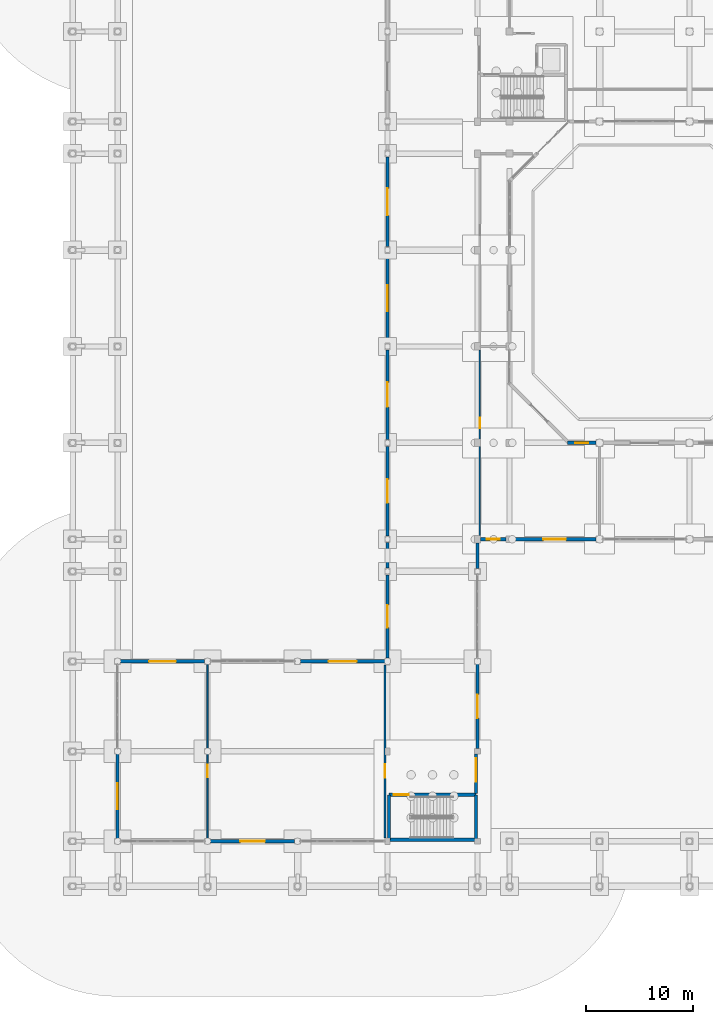
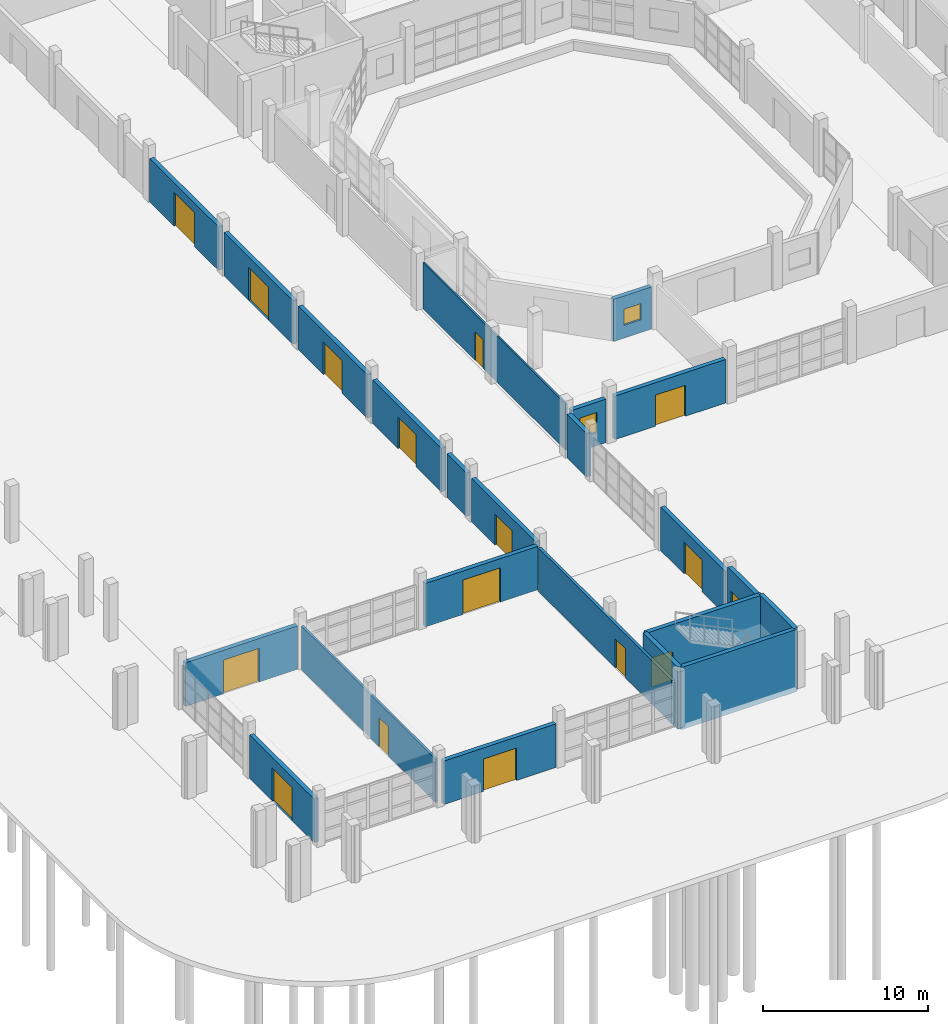
# One storey, part 56 of 88: 23 walls, 16 doors, 2 windows, 18 openings.
"""IFC4 building model written with IfcOpenShell, lengths in metres."""

from ifc_helpers import new_model, si_unit, direction, frame, frame_2d, origin, place, context, subcontext, project, spatial, rectangle, extrude, material, layer, layer_set, type_object, element, fill, save


model = new_model("IFC4")

# Units and contexts
model_context = context("Model", 3, precision=1e-05, world=origin(), true_north=direction((0.0, 1.0)))
body_context = subcontext(model_context, "Body", "Model", "MODEL_VIEW")
ifc_project = project(units=[si_unit("LENGTHUNIT", "METRE"), si_unit("AREAUNIT", "SQUARE_METRE"), si_unit("VOLUMEUNIT", "CUBIC_METRE"), si_unit("PLANEANGLEUNIT", "RADIAN"), si_unit("MASSUNIT", "GRAM", prefix="KILO")], contexts=[model_context])

# Site, building, storey
site_placement = place(None, origin())
site = spatial("IfcSite", under=ifc_project, at=site_placement, CompositionType="ELEMENT")
building_placement = place(site_placement, origin())
building = spatial("IfcBuilding", under=site, at=building_placement, Name="Vanh Quang Courtyard School", CompositionType="ELEMENT")
storey_placement = place(building_placement, origin())
storey = spatial("IfcBuildingStorey", under=building, at=storey_placement, Name="L00", CompositionType="ELEMENT", Elevation=0.0)

# Wall, opening, door
ifc_material_1 = material(Name="Concrete C30/37", Category="concrete")
ifc_layer_1 = layer(ifc_material_1, 0.199951171875)
ifc_layer_set_1 = layer_set([ifc_layer_1], Name="Concrete C30/37")
wall_type_1 = type_object("IfcWallType", Name="W-COMP-200", PredefinedType="PARTITIONING", material=ifc_layer_set_1)
wall_1_placement = place(storey_placement, frame((29.179931640625, 20.677001953125, 0.0), z_axis=(0.0, 0.0, 1.0), x_axis=(0.0, -1.0, 0.0)))
wall_1 = element("IfcWall", 1, at=wall_1_placement, inside=storey, type_object=wall_type_1, Name="Wall W-COMP1 (L00)", PredefinedType="PARTITIONING", context=body_context, shape_type="SweptSolid", body=[
    extrude(rectangle(XDim=16.154052734375, YDim=0.199951171875, at=frame_2d((8.0771484375, 0.0))), origin(), (0.0, 0.0, 1.0), 3.219970703125),
])
opening_1_placement = place(wall_1_placement, frame((9.302001953125, 0.0, 0.0)))
opening_1 = element("IfcOpeningElement", 2, at=opening_1_placement, cuts=wall_1, Name="Opening L00-D012", PredefinedType="OPENING", context=body_context, shape_type="SweptSolid", body=[
    extrude(rectangle(XDim=1.25, YDim=2.14990234375, at=frame_2d((0.625, 1.074951171875))), frame((0.0, 0.10986328125, 0.0), z_axis=(0.0, -1.0, 0.0), x_axis=(1.0, 0.0, 0.0)), (0.0, 0.0, 1.0), 0.219970703125),
])
ifc_material_2 = material(Name="Painted galvanised steel fire door", Category="steel")
door_type_1 = type_object("IfcDoorType", Name="IDR-LAB-1250x2150", OperationType="NOTDEFINED", PredefinedType="DOOR", material=ifc_material_2)
door_1_placement = place(opening_1_placement, origin())
door_1 = element("IfcDoor", 3, at=door_1_placement, inside=storey, type_object=door_type_1, Name="Door L00-D012 (L00)", OperationType="SINGLE_SWING_LEFT", OverallHeight=2.14990234375, OverallWidth=1.25, PredefinedType="DOOR", context=body_context, shape_type="SweptSolid", body=[
    extrude(rectangle(XDim=1.25, YDim=2.14990234375, at=frame_2d((0.625, 1.074951171875))), frame((0.0, 0.02490234375, 0.0), z_axis=(0.0, -1.0, 0.0), x_axis=(1.0, 0.0, 0.0)), (0.0, 0.0, 1.0), 0.050048828125),
])
fill(opening_1, door_1)

# Walls
ifc_material_3 = material(Name="Concrete C35/45", Category="concrete")
ifc_layer_2 = layer(ifc_material_3, 0.300048828125)
ifc_layer_set_2 = layer_set([ifc_layer_2], Name="Concrete C35/45")
wall_type_2 = type_object("IfcWallType", Name="W-CORE-300", PredefinedType="SHEAR", material=ifc_layer_set_2)
wall_2_placement = place(storey_placement, frame((29.5400390625, 4.340087890625, -0.39990234375), z_axis=(0.0, 0.0, 1.0), x_axis=(1.0, 0.0, 0.0)))
element("IfcWall", 4, at=wall_2_placement, inside=storey, type_object=wall_type_2, Name="Wall W-CORE1 (L00)", PredefinedType="SHEAR", context=body_context, shape_type="SweptSolid", body=[
    extrude(rectangle(XDim=8.119873046875, YDim=0.300048828125, at=frame_2d((4.06005859375, 0.0))), origin(), (0.0, 0.0, 1.0), 4.599853515625),
])
wall_3_placement = place(storey_placement, frame((37.659912109375, 4.340087890625, -0.39990234375), z_axis=(0.0, 0.0, 1.0), x_axis=(0.0, 1.0, 0.0)))
element("IfcWall", 5, at=wall_3_placement, inside=storey, type_object=wall_type_2, Name="Wall W-CORE1 (L00)", PredefinedType="SHEAR", context=body_context, shape_type="SweptSolid", body=[
    extrude(rectangle(XDim=4.199951171875, YDim=0.300048828125, at=frame_2d((2.10009765625, 0.0))), origin(), (0.0, 0.0, 1.0), 4.599853515625),
])

# Wall, opening, door
wall_4_placement = place(storey_placement, frame((37.659912109375, 8.5400390625, -0.39990234375), z_axis=(0.0, 0.0, 1.0), x_axis=(-1.0, 0.0, 0.0)))
wall_4 = element("IfcWall", 6, at=wall_4_placement, inside=storey, type_object=wall_type_2, Name="Wall W-CORE1 (L00)", PredefinedType="SHEAR", context=body_context, shape_type="SweptSolid", body=[
    extrude(rectangle(XDim=8.119873046875, YDim=0.300048828125, at=frame_2d((4.06005859375, 0.0))), origin(), (0.0, 0.0, 1.0), 4.599853515625),
])
opening_2_placement = place(wall_4_placement, frame((6.27001953125, 0.0, 0.39990234375)))
opening_2 = element("IfcOpeningElement", 7, at=opening_2_placement, cuts=wall_4, Name="Opening L00-DS6", PredefinedType="OPENING", context=body_context, shape_type="SweptSolid", body=[
    extrude(rectangle(XDim=1.419921875, YDim=2.14990234375, at=frame_2d((0.7099609375, 1.074951171875))), frame((0.0, 0.16015625, 0.0), z_axis=(0.0, -1.0, 0.0), x_axis=(1.0, 0.0, 0.0)), (0.0, 0.0, 1.0), 0.320068359375),
])
door_type_2 = type_object("IfcDoorType", Name="IDR-ST-1420x2150", OperationType="NOTDEFINED", PredefinedType="DOOR", material=ifc_material_2)
door_2_placement = place(opening_2_placement, origin())
door_2 = element("IfcDoor", 8, at=door_2_placement, inside=storey, type_object=door_type_2, Name="Door L00-DS6 (L00)", OperationType="SINGLE_SWING_LEFT", OverallHeight=2.14990234375, OverallWidth=1.419921875, PredefinedType="DOOR", context=body_context, shape_type="SweptSolid", body=[
    extrude(rectangle(XDim=1.419921875, YDim=2.14990234375, at=frame_2d((0.7099609375, 1.074951171875))), frame((0.0, 0.02490234375, 0.0), z_axis=(0.0, -1.0, 0.0), x_axis=(1.0, 0.0, 0.0)), (0.0, 0.0, 1.0), 0.050048828125),
])
fill(opening_2, door_2)

# Wall
wall_5_placement = place(storey_placement, frame((29.5400390625, 8.5400390625, -0.39990234375), z_axis=(0.0, 0.0, 1.0), x_axis=(0.0, -1.0, 0.0)))
element("IfcWall", 9, at=wall_5_placement, inside=storey, type_object=wall_type_2, Name="Wall W-CORE1 (L00)", PredefinedType="SHEAR", context=body_context, shape_type="SweptSolid", body=[
    extrude(rectangle(XDim=4.199951171875, YDim=0.300048828125, at=frame_2d((2.10009765625, 0.0))), origin(), (0.0, 0.0, 1.0), 4.599853515625),
])

# Wall, opening, door
wall_6_placement = place(storey_placement, frame((37.659912109375, 8.639892578125, -0.39990234375), z_axis=(0.0, 0.0, 1.0), x_axis=(0.0, 1.0, 0.0)))
wall_6 = element("IfcWall", 10, at=wall_6_placement, inside=storey, type_object=wall_type_2, Name="Wall W-CORE1 (L00)", PredefinedType="SHEAR", context=body_context, shape_type="SweptSolid", body=[
    extrude(rectangle(XDim=3.7001953125, YDim=0.300048828125, at=frame_2d((1.85009765625, 0.0))), origin(), (0.0, 0.0, 1.0), 4.31982421875),
])
opening_3_placement = place(wall_6_placement, frame((1.125, 0.0, 0.39990234375)))
opening_3 = element("IfcOpeningElement", 11, at=opening_3_placement, cuts=wall_6, Name="Opening L00-EXD6", PredefinedType="OPENING", context=body_context, shape_type="SweptSolid", body=[
    extrude(rectangle(XDim=2.199951171875, YDim=2.35009765625, at=frame_2d((1.10009765625, 1.175048828125))), frame((0.0, 0.16015625, 0.0), z_axis=(0.0, -1.0, 0.0), x_axis=(1.0, 0.0, 0.0)), (0.0, 0.0, 1.0), 0.320068359375),
])
ifc_material_4 = material(Name="Thermally broken aluminium and laminated safety glass", Category="aluminium")
door_type_3 = type_object("IfcDoorType", Name="EDR-TYP-12", OperationType="NOTDEFINED", PredefinedType="DOOR", material=ifc_material_4)
door_3_placement = place(opening_3_placement, origin())
door_3 = element("IfcDoor", 12, at=door_3_placement, inside=storey, type_object=door_type_3, Name="Door L00-EXD6 (L00)", OperationType="SINGLE_SWING_RIGHT", OverallHeight=2.35009765625, OverallWidth=2.199951171875, PredefinedType="DOOR", context=body_context, shape_type="SweptSolid", body=[
    extrude(rectangle(XDim=2.199951171875, YDim=2.35009765625, at=frame_2d((1.10009765625, 1.175048828125))), frame((0.0, 0.02490234375, 0.0), z_axis=(0.0, -1.0, 0.0), x_axis=(1.0, 0.0, 0.0)), (0.0, 0.0, 1.0), 0.050048828125),
])
fill(opening_3, door_3)

ifc_layer_3 = layer(ifc_material_3, 0.300048828125)
ifc_layer_set_3 = layer_set([ifc_layer_3], Name="Concrete C35/45")
wall_type_3 = type_object("IfcWallType", Name="W-EXT-300", PredefinedType="SOLIDWALL", material=ifc_layer_set_3)
wall_7_placement = place(storey_placement, frame((29.39990234375, 21.322998046875, 0.0), z_axis=(0.0, 0.0, 1.0), x_axis=(0.0, 1.0, 0.0)))
wall_7 = element("IfcWall", 13, at=wall_7_placement, inside=storey, type_object=wall_type_3, Name="Wall WE-01 (L00)", PredefinedType="SOLIDWALL", context=body_context, shape_type="SweptSolid", body=[
    extrude(rectangle(XDim=7.75390625, YDim=0.300048828125, at=frame_2d((3.876953125, 0.0))), origin(), (0.0, 0.0, 1.0), 3.219970703125),
])
opening_4_placement = place(wall_7_placement, frame((2.826904296875, 0.0, 0.0)))
opening_4 = element("IfcOpeningElement", 14, at=opening_4_placement, cuts=wall_7, Name="Opening L00-EX01", PredefinedType="OPENING", context=body_context, shape_type="SweptSolid", body=[
    extrude(rectangle(XDim=2.10009765625, YDim=2.300048828125, at=frame_2d((1.050048828125, 1.14990234375))), frame((0.0, 0.16015625, 0.0), z_axis=(0.0, -1.0, 0.0), x_axis=(1.0, 0.0, 0.0)), (0.0, 0.0, 1.0), 0.320068359375),
])
door_type_4 = type_object("IfcDoorType", Name="EDR-TYP-11", OperationType="NOTDEFINED", PredefinedType="DOOR", material=ifc_material_4)
door_4_placement = place(opening_4_placement, origin())
door_4 = element("IfcDoor", 15, at=door_4_placement, inside=storey, type_object=door_type_4, Name="Door L00-EX01 (L00)", OperationType="DOUBLE_DOOR_SINGLE_SWING", OverallHeight=2.300048828125, OverallWidth=2.10009765625, PredefinedType="DOOR", context=body_context, shape_type="SweptSolid", body=[
    extrude(rectangle(XDim=2.10009765625, YDim=2.300048828125, at=frame_2d((1.050048828125, 1.14990234375))), frame((0.0, 0.02490234375, 0.0), z_axis=(0.0, -1.0, 0.0), x_axis=(1.0, 0.0, 0.0)), (0.0, 0.0, 1.0), 0.050048828125),
])
fill(opening_4, door_4)

# Wall
wall_8_placement = place(storey_placement, frame((29.39990234375, 29.722900390625, 0.0), z_axis=(0.0, 0.0, 1.0), x_axis=(0.0, 1.0, 0.0)))
element("IfcWall", 16, at=wall_8_placement, inside=storey, type_object=wall_type_3, Name="Wall WE-01 (L00)", PredefinedType="SOLIDWALL", context=body_context, shape_type="SweptSolid", body=[
    extrude(rectangle(XDim=2.35400390625, YDim=0.300048828125, at=frame_2d((1.177001953125, 0.0))), origin(), (0.0, 0.0, 1.0), 3.219970703125),
])

# Wall, opening, door
wall_9_placement = place(storey_placement, frame((29.39990234375, 32.722900390625, 0.0), z_axis=(0.0, 0.0, 1.0), x_axis=(0.0, 1.0, 0.0)))
wall_9 = element("IfcWall", 17, at=wall_9_placement, inside=storey, type_object=wall_type_3, Name="Wall WE-01 (L00)", PredefinedType="SOLIDWALL", context=body_context, shape_type="SweptSolid", body=[
    extrude(rectangle(XDim=8.35400390625, YDim=0.300048828125, at=frame_2d((4.177001953125, 0.0))), origin(), (0.0, 0.0, 1.0), 3.219970703125),
])
opening_5_placement = place(wall_9_placement, frame((3.076904296875, 0.0, 0.0)))
opening_5 = element("IfcOpeningElement", 18, at=opening_5_placement, cuts=wall_9, Name="Opening L00-EX02", PredefinedType="OPENING", context=body_context, shape_type="SweptSolid", body=[
    extrude(rectangle(XDim=2.199951171875, YDim=2.35009765625, at=frame_2d((1.10009765625, 1.175048828125))), frame((0.0, 0.16015625, 0.0), z_axis=(0.0, -1.0, 0.0), x_axis=(1.0, 0.0, 0.0)), (0.0, 0.0, 1.0), 0.320068359375),
])
door_5_placement = place(opening_5_placement, origin())
door_5 = element("IfcDoor", 19, at=door_5_placement, inside=storey, type_object=door_type_3, Name="Door L00-EX02 (L00)", OperationType="DOUBLE_DOOR_SINGLE_SWING", OverallHeight=2.35009765625, OverallWidth=2.199951171875, PredefinedType="DOOR", context=body_context, shape_type="SweptSolid", body=[
    extrude(rectangle(XDim=2.199951171875, YDim=2.35009765625, at=frame_2d((1.10009765625, 1.175048828125))), frame((0.0, 0.02490234375, 0.0), z_axis=(0.0, -1.0, 0.0), x_axis=(1.0, 0.0, 0.0)), (0.0, 0.0, 1.0), 0.050048828125),
])
fill(opening_5, door_5)

wall_10_placement = place(storey_placement, frame((29.39990234375, 41.722900390625, 0.0), z_axis=(0.0, 0.0, 1.0), x_axis=(0.0, 1.0, 0.0)))
wall_10 = element("IfcWall", 20, at=wall_10_placement, inside=storey, type_object=wall_type_3, Name="Wall WE-01 (L00)", PredefinedType="SOLIDWALL", context=body_context, shape_type="SweptSolid", body=[
    extrude(rectangle(XDim=8.35400390625, YDim=0.300048828125, at=frame_2d((4.177001953125, 0.0))), origin(), (0.0, 0.0, 1.0), 3.219970703125),
])
opening_6_placement = place(wall_10_placement, frame((3.027099609375, 0.0, 0.0)))
opening_6 = element("IfcOpeningElement", 21, at=opening_6_placement, cuts=wall_10, Name="Opening L00-EX03", PredefinedType="OPENING", context=body_context, shape_type="SweptSolid", body=[
    extrude(rectangle(XDim=2.300048828125, YDim=2.39990234375, at=frame_2d((1.14990234375, 1.199951171875))), frame((0.0, 0.16015625, 0.0), z_axis=(0.0, -1.0, 0.0), x_axis=(1.0, 0.0, 0.0)), (0.0, 0.0, 1.0), 0.320068359375),
])
door_type_5 = type_object("IfcDoorType", Name="EDR-TYP-13", OperationType="NOTDEFINED", PredefinedType="DOOR", material=ifc_material_4)
door_6_placement = place(opening_6_placement, origin())
door_6 = element("IfcDoor", 22, at=door_6_placement, inside=storey, type_object=door_type_5, Name="Door L00-EX03 (L00)", OperationType="DOUBLE_DOOR_SINGLE_SWING", OverallHeight=2.39990234375, OverallWidth=2.300048828125, PredefinedType="DOOR", context=body_context, shape_type="SweptSolid", body=[
    extrude(rectangle(XDim=2.300048828125, YDim=2.39990234375, at=frame_2d((1.14990234375, 1.199951171875))), frame((0.0, 0.02490234375, 0.0), z_axis=(0.0, -1.0, 0.0), x_axis=(1.0, 0.0, 0.0)), (0.0, 0.0, 1.0), 0.050048828125),
])
fill(opening_6, door_6)

wall_11_placement = place(storey_placement, frame((29.39990234375, 50.722900390625, 0.0), z_axis=(0.0, 0.0, 1.0), x_axis=(0.0, 1.0, 0.0)))
wall_11 = element("IfcWall", 23, at=wall_11_placement, inside=storey, type_object=wall_type_3, Name="Wall WE-01 (L00)", PredefinedType="SOLIDWALL", context=body_context, shape_type="SweptSolid", body=[
    extrude(rectangle(XDim=8.35400390625, YDim=0.300048828125, at=frame_2d((4.177001953125, 0.0))), origin(), (0.0, 0.0, 1.0), 3.219970703125),
])
opening_7_placement = place(wall_11_placement, frame((2.97705078125, 0.0, 0.0)))
opening_7 = element("IfcOpeningElement", 24, at=opening_7_placement, cuts=wall_11, Name="Opening L00-EX04", PredefinedType="OPENING", context=body_context, shape_type="SweptSolid", body=[
    extrude(rectangle(XDim=2.39990234375, YDim=2.449951171875, at=frame_2d((1.199951171875, 1.22509765625))), frame((0.0, 0.16015625, 0.0), z_axis=(0.0, -1.0, 0.0), x_axis=(1.0, 0.0, 0.0)), (0.0, 0.0, 1.0), 0.320068359375),
])
door_type_6 = type_object("IfcDoorType", Name="EDR-TYP-14", OperationType="NOTDEFINED", PredefinedType="DOOR", material=ifc_material_4)
door_7_placement = place(opening_7_placement, origin())
door_7 = element("IfcDoor", 25, at=door_7_placement, inside=storey, type_object=door_type_6, Name="Door L00-EX04 (L00)", OperationType="DOUBLE_DOOR_SINGLE_SWING", OverallHeight=2.449951171875, OverallWidth=2.39990234375, PredefinedType="DOOR", context=body_context, shape_type="SweptSolid", body=[
    extrude(rectangle(XDim=2.39990234375, YDim=2.449951171875, at=frame_2d((1.199951171875, 1.22509765625))), frame((0.0, 0.02490234375, 0.0), z_axis=(0.0, -1.0, 0.0), x_axis=(1.0, 0.0, 0.0)), (0.0, 0.0, 1.0), 0.050048828125),
])
fill(opening_7, door_7)

wall_12_placement = place(storey_placement, frame((29.39990234375, 59.722900390625, 0.0), z_axis=(0.0, 0.0, 1.0), x_axis=(0.0, 1.0, 0.0)))
wall_12 = element("IfcWall", 26, at=wall_12_placement, inside=storey, type_object=wall_type_3, Name="Wall WE-01 (L00)", PredefinedType="SOLIDWALL", context=body_context, shape_type="SweptSolid", body=[
    extrude(rectangle(XDim=8.35400390625, YDim=0.300048828125, at=frame_2d((4.177001953125, 0.0))), origin(), (0.0, 0.0, 1.0), 3.219970703125),
])
opening_8_placement = place(wall_12_placement, frame((2.927001953125, 0.0, 0.0)))
opening_8 = element("IfcOpeningElement", 27, at=opening_8_placement, cuts=wall_12, Name="Opening L00-EX05", PredefinedType="OPENING", context=body_context, shape_type="SweptSolid", body=[
    extrude(rectangle(XDim=2.5, YDim=2.5, at=frame_2d((1.25, 1.25))), frame((0.0, 0.16015625, 0.0), z_axis=(0.0, -1.0, 0.0), x_axis=(1.0, 0.0, 0.0)), (0.0, 0.0, 1.0), 0.320068359375),
])
door_type_7 = type_object("IfcDoorType", Name="EDR-TYP-15", OperationType="NOTDEFINED", PredefinedType="DOOR", material=ifc_material_4)
door_8_placement = place(opening_8_placement, origin())
door_8 = element("IfcDoor", 28, at=door_8_placement, inside=storey, type_object=door_type_7, Name="Door L00-EX05 (L00)", OperationType="DOUBLE_DOOR_SINGLE_SWING", OverallHeight=2.5, OverallWidth=2.5, PredefinedType="DOOR", context=body_context, shape_type="SweptSolid", body=[
    extrude(rectangle(XDim=2.5, YDim=2.5, at=frame_2d((1.25, 1.25))), frame((0.0, 0.02490234375, 0.0), z_axis=(0.0, -1.0, 0.0), x_axis=(1.0, 0.0, 0.0)), (0.0, 0.0, 1.0), 0.050048828125),
])
fill(opening_8, door_8)

wall_13_placement = place(storey_placement, frame((48.876953125, 32.39990234375, 0.0), z_axis=(0.0, 0.0, 1.0), x_axis=(-1.0, 0.0, 0.0)))
wall_13 = element("IfcWall", 29, at=wall_13_placement, inside=storey, type_object=wall_type_3, Name="Wall WE-01 (L00)", PredefinedType="SOLIDWALL", context=body_context, shape_type="SweptSolid", body=[
    extrude(rectangle(XDim=7.75390625, YDim=0.300048828125, at=frame_2d((3.876953125, 0.0))), origin(), (0.0, 0.0, 1.0), 3.219970703125),
])
opening_9_placement = place(wall_13_placement, frame((2.826904296875, 0.0, 0.0)))
opening_9 = element("IfcOpeningElement", 30, at=opening_9_placement, cuts=wall_13, Name="Opening L00-EX27", PredefinedType="OPENING", context=body_context, shape_type="SweptSolid", body=[
    extrude(rectangle(XDim=2.10009765625, YDim=2.300048828125, at=frame_2d((1.050048828125, 1.14990234375))), frame((0.0, 0.16015625, 0.0), z_axis=(0.0, -1.0, 0.0), x_axis=(1.0, 0.0, 0.0)), (0.0, 0.0, 1.0), 0.320068359375),
])
door_9_placement = place(opening_9_placement, origin())
door_9 = element("IfcDoor", 31, at=door_9_placement, inside=storey, type_object=door_type_4, Name="Door L00-EX27 (L00)", OperationType="DOUBLE_DOOR_SINGLE_SWING", OverallHeight=2.300048828125, OverallWidth=2.10009765625, PredefinedType="DOOR", context=body_context, shape_type="SweptSolid", body=[
    extrude(rectangle(XDim=2.10009765625, YDim=2.300048828125, at=frame_2d((1.050048828125, 1.14990234375))), frame((0.0, 0.02490234375, 0.0), z_axis=(0.0, -1.0, 0.0), x_axis=(1.0, 0.0, 0.0)), (0.0, 0.0, 1.0), 0.050048828125),
])
fill(opening_9, door_9)

# Wall, opening, window
wall_14_placement = place(storey_placement, frame((40.47705078125, 32.39990234375, 0.0), z_axis=(0.0, 0.0, 1.0), x_axis=(-1.0, 0.0, 0.0)))
wall_14 = element("IfcWall", 32, at=wall_14_placement, inside=storey, type_object=wall_type_3, Name="Wall WE-01 (L00)", PredefinedType="SOLIDWALL", context=body_context, shape_type="SweptSolid", body=[
    extrude(rectangle(XDim=2.404052734375, YDim=0.300048828125, at=frame_2d((1.2021484375, 0.0))), origin(), (0.0, 0.0, 1.0), 3.219970703125),
])
opening_10_placement = place(wall_14_placement, frame((0.60205078125, 0.0, 0.949951171875)))
opening_10 = element("IfcOpeningElement", 33, at=opening_10_placement, cuts=wall_14, Name="Opening WN-10", PredefinedType="OPENING", context=body_context, shape_type="SweptSolid", body=[
    extrude(rectangle(XDim=1.199951171875, YDim=1.5, at=frame_2d((0.60009765625, 0.75))), frame((0.0, 0.16015625, 0.0), z_axis=(0.0, -1.0, 0.0), x_axis=(1.0, 0.0, 0.0)), (0.0, 0.0, 1.0), 0.320068359375),
])
ifc_material_5 = material(Name="Anodised aluminium and low-E double glazing", Category="aluminium")
window_type_1 = type_object("IfcWindowType", Name="WIN-TYP-10", PartitioningType="SINGLE_PANEL", PredefinedType="WINDOW", material=ifc_material_5)
window_1_placement = place(opening_10_placement, origin())
window_1 = element("IfcWindow", 34, at=window_1_placement, inside=storey, type_object=window_type_1, Name="Window WN-10 (L00)", OverallHeight=1.5, OverallWidth=1.199951171875, PartitioningType="SINGLE_PANEL", PredefinedType="WINDOW", context=body_context, shape_type="SweptSolid", body=[
    extrude(rectangle(XDim=1.199951171875, YDim=1.5, at=frame_2d((0.60009765625, 0.75))), frame((0.0, 0.030029296875, 0.0), z_axis=(0.0, -1.0, 0.0), x_axis=(1.0, 0.0, 0.0)), (0.0, 0.0, 1.0), 0.06005859375),
])
fill(opening_10, window_1)

# Wall
wall_15_placement = place(storey_placement, frame((37.800048828125, 32.052001953125, 0.0), z_axis=(0.0, 0.0, 1.0), x_axis=(0.0, -1.0, 0.0)))
element("IfcWall", 35, at=wall_15_placement, inside=storey, type_object=wall_type_3, Name="Wall WE-01 (L00)", PredefinedType="SOLIDWALL", context=body_context, shape_type="SweptSolid", body=[
    extrude(rectangle(XDim=2.37890625, YDim=0.300048828125, at=frame_2d((1.189453125, 0.0))), origin(), (0.0, 0.0, 1.0), 3.219970703125),
])

# Wall, opening, door
wall_16_placement = place(storey_placement, frame((37.800048828125, 20.72705078125, 0.0), z_axis=(0.0, 0.0, 1.0), x_axis=(0.0, -1.0, 0.0)))
wall_16 = element("IfcWall", 36, at=wall_16_placement, inside=storey, type_object=wall_type_3, Name="Wall WE-01 (L00)", PredefinedType="SOLIDWALL", context=body_context, shape_type="SweptSolid", body=[
    extrude(rectangle(XDim=7.85400390625, YDim=0.300048828125, at=frame_2d((3.927001953125, 0.0))), origin(), (0.0, 0.0, 1.0), 3.219970703125),
])
opening_11_placement = place(wall_16_placement, frame((2.826904296875, 0.0, 0.0)))
opening_11 = element("IfcOpeningElement", 37, at=opening_11_placement, cuts=wall_16, Name="Opening L00-EX28", PredefinedType="OPENING", context=body_context, shape_type="SweptSolid", body=[
    extrude(rectangle(XDim=2.199951171875, YDim=2.35009765625, at=frame_2d((1.10009765625, 1.175048828125))), frame((0.0, 0.16015625, 0.0), z_axis=(0.0, -1.0, 0.0), x_axis=(1.0, 0.0, 0.0)), (0.0, 0.0, 1.0), 0.320068359375),
])
door_10_placement = place(opening_11_placement, origin())
door_10 = element("IfcDoor", 38, at=door_10_placement, inside=storey, type_object=door_type_3, Name="Door L00-EX28 (L00)", OperationType="DOUBLE_DOOR_SINGLE_SWING", OverallHeight=2.35009765625, OverallWidth=2.199951171875, PredefinedType="DOOR", context=body_context, shape_type="SweptSolid", body=[
    extrude(rectangle(XDim=2.199951171875, YDim=2.35009765625, at=frame_2d((1.10009765625, 1.175048828125))), frame((0.0, 0.02490234375, 0.0), z_axis=(0.0, -1.0, 0.0), x_axis=(1.0, 0.0, 0.0)), (0.0, 0.0, 1.0), 0.050048828125),
])
fill(opening_11, door_10)

wall_17_placement = place(storey_placement, frame((20.72705078125, 4.199951171875, 0.0), z_axis=(0.0, 0.0, 1.0), x_axis=(-1.0, 0.0, 0.0)))
wall_17 = element("IfcWall", 39, at=wall_17_placement, inside=storey, type_object=wall_type_3, Name="Wall WE-01 (L00)", PredefinedType="SOLIDWALL", context=body_context, shape_type="SweptSolid", body=[
    extrude(rectangle(XDim=7.85400390625, YDim=0.300048828125, at=frame_2d((3.927001953125, 0.0))), origin(), (0.0, 0.0, 1.0), 3.219970703125),
])
opening_12_placement = place(wall_17_placement, frame((2.777099609375, 0.0, 0.0)))
opening_12 = element("IfcOpeningElement", 40, at=opening_12_placement, cuts=wall_17, Name="Opening L00-EX29", PredefinedType="OPENING", context=body_context, shape_type="SweptSolid", body=[
    extrude(rectangle(XDim=2.300048828125, YDim=2.39990234375, at=frame_2d((1.14990234375, 1.199951171875))), frame((0.0, 0.16015625, 0.0), z_axis=(0.0, -1.0, 0.0), x_axis=(1.0, 0.0, 0.0)), (0.0, 0.0, 1.0), 0.320068359375),
])
door_11_placement = place(opening_12_placement, origin())
door_11 = element("IfcDoor", 41, at=door_11_placement, inside=storey, type_object=door_type_5, Name="Door L00-EX29 (L00)", OperationType="DOUBLE_DOOR_SINGLE_SWING", OverallHeight=2.39990234375, OverallWidth=2.300048828125, PredefinedType="DOOR", context=body_context, shape_type="SweptSolid", body=[
    extrude(rectangle(XDim=2.300048828125, YDim=2.39990234375, at=frame_2d((1.14990234375, 1.199951171875))), frame((0.0, 0.02490234375, 0.0), z_axis=(0.0, -1.0, 0.0), x_axis=(1.0, 0.0, 0.0)), (0.0, 0.0, 1.0), 0.050048828125),
])
fill(opening_12, door_11)

wall_18_placement = place(storey_placement, frame((4.199951171875, 4.472900390625, 0.0), z_axis=(0.0, 0.0, 1.0), x_axis=(0.0, 1.0, 0.0)))
wall_18 = element("IfcWall", 42, at=wall_18_placement, inside=storey, type_object=wall_type_3, Name="Wall WE-01 (L00)", PredefinedType="SOLIDWALL", context=body_context, shape_type="SweptSolid", body=[
    extrude(rectangle(XDim=7.85400390625, YDim=0.300048828125, at=frame_2d((3.927001953125, 0.0))), origin(), (0.0, 0.0, 1.0), 3.219970703125),
])
opening_13_placement = place(wall_18_placement, frame((2.72705078125, 0.0, 0.0)))
opening_13 = element("IfcOpeningElement", 43, at=opening_13_placement, cuts=wall_18, Name="Opening L00-EX30", PredefinedType="OPENING", context=body_context, shape_type="SweptSolid", body=[
    extrude(rectangle(XDim=2.39990234375, YDim=2.449951171875, at=frame_2d((1.199951171875, 1.22509765625))), frame((0.0, 0.16015625, 0.0), z_axis=(0.0, -1.0, 0.0), x_axis=(1.0, 0.0, 0.0)), (0.0, 0.0, 1.0), 0.320068359375),
])
door_12_placement = place(opening_13_placement, origin())
door_12 = element("IfcDoor", 44, at=door_12_placement, inside=storey, type_object=door_type_6, Name="Door L00-EX30 (L00)", OperationType="DOUBLE_DOOR_SINGLE_SWING", OverallHeight=2.449951171875, OverallWidth=2.39990234375, PredefinedType="DOOR", context=body_context, shape_type="SweptSolid", body=[
    extrude(rectangle(XDim=2.39990234375, YDim=2.449951171875, at=frame_2d((1.199951171875, 1.22509765625))), frame((0.0, 0.02490234375, 0.0), z_axis=(0.0, -1.0, 0.0), x_axis=(1.0, 0.0, 0.0)), (0.0, 0.0, 1.0), 0.050048828125),
])
fill(opening_13, door_12)

wall_19_placement = place(storey_placement, frame((4.472900390625, 21.0, 0.0), z_axis=(0.0, 0.0, 1.0), x_axis=(1.0, 0.0, 0.0)))
wall_19 = element("IfcWall", 45, at=wall_19_placement, inside=storey, type_object=wall_type_3, Name="Wall WE-01 (L00)", PredefinedType="SOLIDWALL", context=body_context, shape_type="SweptSolid", body=[
    extrude(rectangle(XDim=7.85400390625, YDim=0.300048828125, at=frame_2d((3.927001953125, 0.0))), origin(), (0.0, 0.0, 1.0), 3.219970703125),
])
opening_14_placement = place(wall_19_placement, frame((2.677001953125, 0.0, 0.0)))
opening_14 = element("IfcOpeningElement", 46, at=opening_14_placement, cuts=wall_19, Name="Opening L00-EX31", PredefinedType="OPENING", context=body_context, shape_type="SweptSolid", body=[
    extrude(rectangle(XDim=2.5, YDim=2.5, at=frame_2d((1.25, 1.25))), frame((0.0, 0.16015625, 0.0), z_axis=(0.0, -1.0, 0.0), x_axis=(1.0, 0.0, 0.0)), (0.0, 0.0, 1.0), 0.320068359375),
])
door_13_placement = place(opening_14_placement, origin())
door_13 = element("IfcDoor", 47, at=door_13_placement, inside=storey, type_object=door_type_7, Name="Door L00-EX31 (L00)", OperationType="DOUBLE_DOOR_SINGLE_SWING", OverallHeight=2.5, OverallWidth=2.5, PredefinedType="DOOR", context=body_context, shape_type="SweptSolid", body=[
    extrude(rectangle(XDim=2.5, YDim=2.5, at=frame_2d((1.25, 1.25))), frame((0.0, 0.02490234375, 0.0), z_axis=(0.0, -1.0, 0.0), x_axis=(1.0, 0.0, 0.0)), (0.0, 0.0, 1.0), 0.050048828125),
])
fill(opening_14, door_13)

wall_20_placement = place(storey_placement, frame((21.27294921875, 21.0, 0.0), z_axis=(0.0, 0.0, 1.0), x_axis=(1.0, 0.0, 0.0)))
wall_20 = element("IfcWall", 48, at=wall_20_placement, inside=storey, type_object=wall_type_3, Name="Wall WE-01 (L00)", PredefinedType="SOLIDWALL", context=body_context, shape_type="SweptSolid", body=[
    extrude(rectangle(XDim=7.879150390625, YDim=0.300048828125, at=frame_2d((3.939453125, 0.0))), origin(), (0.0, 0.0, 1.0), 3.219970703125),
])
opening_15_placement = place(wall_20_placement, frame((2.639404296875, 0.0, 0.0)))
opening_15 = element("IfcOpeningElement", 49, at=opening_15_placement, cuts=wall_20, Name="Opening L00-EX32", PredefinedType="OPENING", context=body_context, shape_type="SweptSolid", body=[
    extrude(rectangle(XDim=2.60009765625, YDim=2.550048828125, at=frame_2d((1.300048828125, 1.27490234375))), frame((0.0, 0.16015625, 0.0), z_axis=(0.0, -1.0, 0.0), x_axis=(1.0, 0.0, 0.0)), (0.0, 0.0, 1.0), 0.320068359375),
])
door_type_8 = type_object("IfcDoorType", Name="EDR-TYP-16", OperationType="NOTDEFINED", PredefinedType="DOOR", material=ifc_material_4)
door_14_placement = place(opening_15_placement, origin())
door_14 = element("IfcDoor", 50, at=door_14_placement, inside=storey, type_object=door_type_8, Name="Door L00-EX32 (L00)", OperationType="DOUBLE_DOOR_SINGLE_SWING", OverallHeight=2.550048828125, OverallWidth=2.60009765625, PredefinedType="DOOR", context=body_context, shape_type="SweptSolid", body=[
    extrude(rectangle(XDim=2.60009765625, YDim=2.550048828125, at=frame_2d((1.300048828125, 1.27490234375))), frame((0.0, 0.02490234375, 0.0), z_axis=(0.0, -1.0, 0.0), x_axis=(1.0, 0.0, 0.0)), (0.0, 0.0, 1.0), 0.050048828125),
])
fill(opening_15, door_14)

# Wall, opening, window
wall_21_placement = place(storey_placement, frame((46.22412109375, 41.39990234375, 0.0), z_axis=(0.0, 0.0, 1.0), x_axis=(1.0, 0.0, 0.0)))
wall_21 = element("IfcWall", 51, at=wall_21_placement, inside=storey, type_object=wall_type_3, Name="Wall WE-01 (L00)", PredefinedType="SOLIDWALL", context=body_context, shape_type="SweptSolid", body=[
    extrude(rectangle(XDim=2.65283203125, YDim=0.300048828125, at=frame_2d((1.326416015625, 0.0))), origin(), (0.0, 0.0, 1.0), 3.1201171875),
])
opening_16_placement = place(wall_21_placement, frame((0.7265625, 0.0, 0.949951171875)))
opening_16 = element("IfcOpeningElement", 52, at=opening_16_placement, cuts=wall_21, Name="Opening WN-01", PredefinedType="OPENING", context=body_context, shape_type="SweptSolid", body=[
    extrude(rectangle(XDim=1.199951171875, YDim=1.199951171875, at=frame_2d((0.60009765625, 0.60009765625))), frame((0.0, 0.16015625, 0.0), z_axis=(0.0, -1.0, 0.0), x_axis=(1.0, 0.0, 0.0)), (0.0, 0.0, 1.0), 0.320068359375),
])
window_type_2 = type_object("IfcWindowType", Name="WIN-TYP-01", PartitioningType="SINGLE_PANEL", PredefinedType="WINDOW", material=ifc_material_5)
window_2_placement = place(opening_16_placement, origin())
window_2 = element("IfcWindow", 53, at=window_2_placement, inside=storey, type_object=window_type_2, Name="Window WN-01 (L00)", OverallHeight=1.199951171875, OverallWidth=1.199951171875, PartitioningType="SINGLE_PANEL", PredefinedType="WINDOW", context=body_context, shape_type="SweptSolid", body=[
    extrude(rectangle(XDim=1.199951171875, YDim=1.199951171875, at=frame_2d((0.60009765625, 0.60009765625))), frame((0.0, 0.030029296875, 0.0), z_axis=(0.0, -1.0, 0.0), x_axis=(1.0, 0.0, 0.0)), (0.0, 0.0, 1.0), 0.06005859375),
])
fill(opening_16, window_2)

# Wall, opening, door
ifc_material_6 = material(Name="Acoustic gypsum stud partition", Category="gypsum")
ifc_layer_4 = layer(ifc_material_6, 0.1201171875)
ifc_layer_set_4 = layer_set([ifc_layer_4], Name="Acoustic gypsum stud partition")
wall_type_4 = type_object("IfcWallType", Name="W-PART-120", PredefinedType="PARTITIONING", material=ifc_layer_set_4)
wall_22_placement = place(storey_placement, frame((38.02001953125, 32.748046875, 0.0), z_axis=(0.0, 0.0, 1.0), x_axis=(0.0, 1.0, 0.0)))
wall_22 = element("IfcWall", 54, at=wall_22_placement, inside=storey, type_object=wall_type_4, Name="Wall W-PRT2 (L00)", PredefinedType="PARTITIONING", context=body_context, shape_type="SweptSolid", body=[
    extrude(rectangle(XDim=17.303955078125, YDim=0.1201171875, at=frame_2d((8.65185546875, 0.0))), origin(), (0.0, 0.0, 1.0), 3.419921875),
])
opening_17_placement = place(wall_22_placement, frame((10.027099609375, 0.0, 0.0)))
opening_17 = element("IfcOpeningElement", 55, at=opening_17_placement, cuts=wall_22, Name="Opening L00-D016", PredefinedType="OPENING", context=body_context, shape_type="SweptSolid", body=[
    extrude(rectangle(XDim=0.949951171875, YDim=2.10009765625, at=frame_2d((0.47509765625, 1.050048828125))), frame((0.0, 0.070068359375, 0.0), z_axis=(0.0, -1.0, 0.0), x_axis=(1.0, 0.0, 0.0)), (0.0, 0.0, 1.0), 0.14013671875),
])
ifc_material_7 = material(Name="Solid-core hardwood acoustic door", Category="wood")
door_type_9 = type_object("IfcDoorType", Name="IDR-CLS-0950x2100", OperationType="NOTDEFINED", PredefinedType="DOOR", material=ifc_material_7)
door_15_placement = place(opening_17_placement, origin())
door_15 = element("IfcDoor", 56, at=door_15_placement, inside=storey, type_object=door_type_9, Name="Door L00-D016 (L00)", OperationType="SINGLE_SWING_LEFT", OverallHeight=2.10009765625, OverallWidth=0.949951171875, PredefinedType="DOOR", context=body_context, shape_type="SweptSolid", body=[
    extrude(rectangle(XDim=0.949951171875, YDim=2.10009765625, at=frame_2d((0.47509765625, 1.050048828125))), frame((0.0, 0.02490234375, 0.0), z_axis=(0.0, -1.0, 0.0), x_axis=(1.0, 0.0, 0.0)), (0.0, 0.0, 1.0), 0.050048828125),
])
fill(opening_17, door_15)

ifc_material_8 = material(Name="Autoclaved aerated masonry blockwork", Category="masonry")
ifc_layer_5 = layer(ifc_material_8, 0.14990234375)
ifc_layer_set_5 = layer_set([ifc_layer_5], Name="Autoclaved aerated masonry blockwork")
wall_type_5 = type_object("IfcWallType", Name="W-PART-150", PredefinedType="PARTITIONING", material=ifc_layer_set_5)
wall_23_placement = place(storey_placement, frame((12.60009765625, 20.72705078125, 0.0), z_axis=(0.0, 0.0, 1.0), x_axis=(0.0, -1.0, 0.0)))
wall_23 = element("IfcWall", 57, at=wall_23_placement, inside=storey, type_object=wall_type_5, Name="Wall W-PRT1 (L00)", PredefinedType="PARTITIONING", context=body_context, shape_type="SweptSolid", body=[
    extrude(rectangle(XDim=16.254150390625, YDim=0.14990234375, at=frame_2d((8.126953125, 0.0))), origin(), (0.0, 0.0, 1.0), 3.219970703125),
])
opening_18_placement = place(wall_23_placement, frame((9.402099609375, 0.0, 0.0)))
opening_18 = element("IfcOpeningElement", 58, at=opening_18_placement, cuts=wall_23, Name="Opening L00-D011", PredefinedType="OPENING", context=body_context, shape_type="SweptSolid", body=[
    extrude(rectangle(XDim=1.14990234375, YDim=2.14990234375, at=frame_2d((0.574951171875, 1.074951171875))), frame((0.0, 0.0849609375, 0.0), z_axis=(0.0, -1.0, 0.0), x_axis=(1.0, 0.0, 0.0)), (0.0, 0.0, 1.0), 0.169921875),
])
door_type_10 = type_object("IfcDoorType", Name="IDR-LAB-1150x2150", OperationType="NOTDEFINED", PredefinedType="DOOR", material=ifc_material_2)
door_16_placement = place(opening_18_placement, origin())
door_16 = element("IfcDoor", 59, at=door_16_placement, inside=storey, type_object=door_type_10, Name="Door L00-D011 (L00)", OperationType="SINGLE_SWING_RIGHT", OverallHeight=2.14990234375, OverallWidth=1.14990234375, PredefinedType="DOOR", context=body_context, shape_type="SweptSolid", body=[
    extrude(rectangle(XDim=1.14990234375, YDim=2.14990234375, at=frame_2d((0.574951171875, 1.074951171875))), frame((0.0, 0.02490234375, 0.0), z_axis=(0.0, -1.0, 0.0), x_axis=(1.0, 0.0, 0.0)), (0.0, 0.0, 1.0), 0.050048828125),
])
fill(opening_18, door_16)

save(model, "model.ifc")
